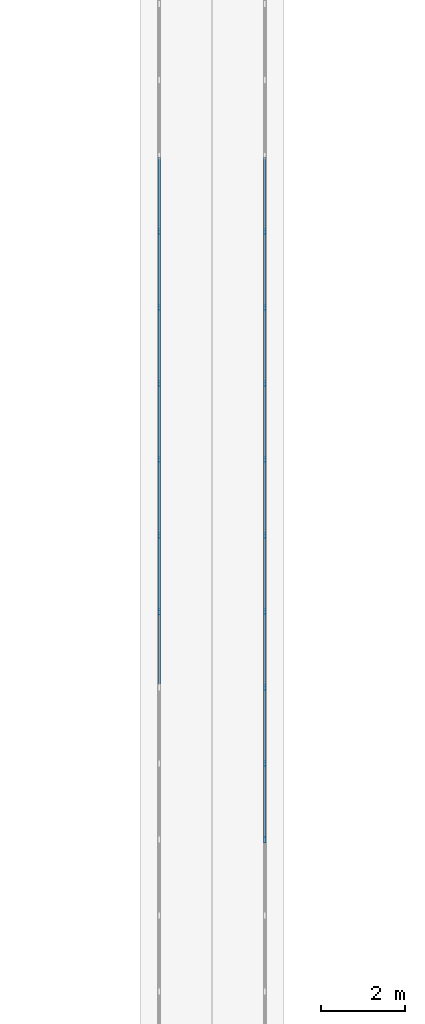
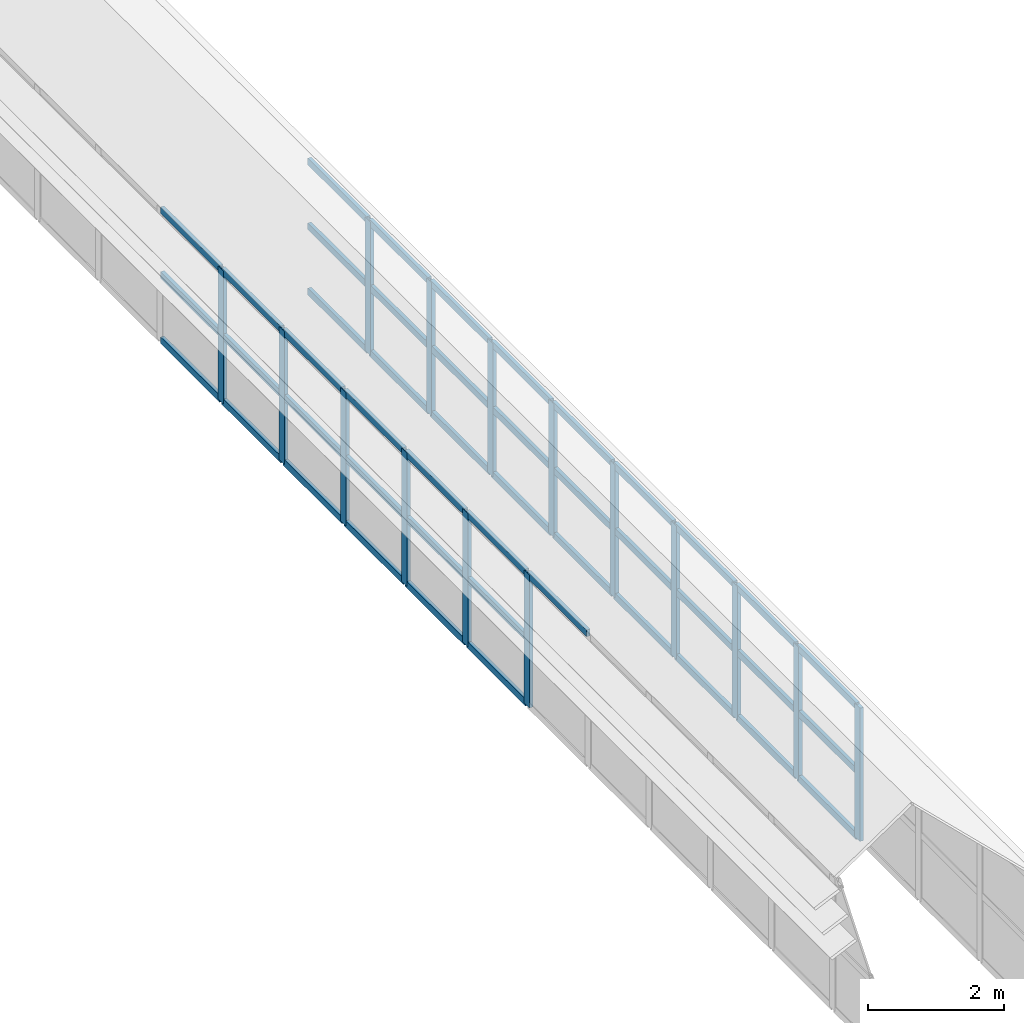
# One storey, part 5 of 28: 61 members, 2 elements without a shape of their own.
"""IFC4 building model written with IfcOpenShell, lengths in metres."""

from ifc_helpers import new_model, si_unit, direction, frame, origin, origin_2d, place, context, subcontext, project, spatial, rectangle, extrude, material, layer, layer_set, material_profile, profile_set, type_object, element, aggregate, save


model = new_model("IFC4")

# Units and contexts
model_context = context("Model", 3, precision=1e-05, world=origin(), true_north=direction((0.0, 1.0)))
body_context = subcontext(model_context, "Body", "Model", "MODEL_VIEW")
ifc_project = project(units=[si_unit("LENGTHUNIT", "METRE"), si_unit("AREAUNIT", "SQUARE_METRE"), si_unit("VOLUMEUNIT", "CUBIC_METRE"), si_unit("PLANEANGLEUNIT", "RADIAN"), si_unit("MASSUNIT", "GRAM", prefix="KILO")], contexts=[model_context])

# Site, building, storey
site_placement = place(None, origin())
site = spatial("IfcSite", under=ifc_project, at=site_placement, CompositionType="ELEMENT")
building_placement = place(site_placement, origin())
building = spatial("IfcBuilding", under=site, at=building_placement, Name="Mazhai Court Health Centre", CompositionType="ELEMENT")
storey_placement = place(building_placement, frame((0.0, 0.0, 18.0)))
storey = spatial("IfcBuildingStorey", under=building, at=storey_placement, Name="RF", CompositionType="ELEMENT", Elevation=18.0)

# Curtain wall, members
ifc_material_1 = material(Name="Teak timber frame, glazed", Category="wood")
ifc_layer = layer(ifc_material_1, 0.10009765625)
ifc_layer_set = layer_set([ifc_layer], Name="CURTAIN WALL TIMBER 1800")
curtain_wall_type = type_object("IfcCurtainWallType", Name="CURTAIN WALL TIMBER 1800", PredefinedType="NOTDEFINED", material=ifc_layer_set)
curtain_wall_1_placement = place(storey_placement, origin())
curtain_wall_1 = element("IfcCurtainWall", 1, at=curtain_wall_1_placement, inside=storey, type_object=curtain_wall_type, Name="CW-V1-LSW", PredefinedType="NOTDEFINED")
ifc_material_2 = material(Name="Teak timber", Category="wood")
ifc_material_profile_1 = material_profile(ifc_material_2, rectangle(XDim=0.06005859375, YDim=0.159912109375, at=origin_2d()), Name="CW MULLION 60x160")
ifc_profile_set_1 = profile_set([ifc_material_profile_1], Name="Teak timber")
member_type_1 = type_object("IfcMemberType", Name="CW MULLION 60x160", PredefinedType="MULLION", material=ifc_profile_set_1)
member_1_placement = place(storey_placement, frame((51.75, 27.60009765625, 0.783935546875), z_axis=(0.0, 0.0, 1.0), x_axis=(-1.0, 0.0, 0.0)))
member_1 = element("IfcMember", 2, at=member_1_placement, type_object=member_type_1, Name="CW mullion 10", PredefinedType="MULLION", context=body_context, shape_type="SweptSolid", body=[
    extrude(rectangle(XDim=0.06005859375, YDim=0.159912109375, at=origin_2d()), origin(), (0.0, 0.0, 1.0), 2.39501953125),
])
member_2_placement = place(storey_placement, frame((51.75, 29.39990234375, 0.783935546875), z_axis=(0.0, 0.0, 1.0), x_axis=(-1.0, 0.0, 0.0)))
member_2 = element("IfcMember", 3, at=member_2_placement, type_object=member_type_1, Name="CW mullion 11", PredefinedType="MULLION", context=body_context, shape_type="SweptSolid", body=[
    extrude(rectangle(XDim=0.06005859375, YDim=0.159912109375, at=origin_2d()), origin(), (0.0, 0.0, 1.0), 2.39501953125),
])
member_3_placement = place(storey_placement, frame((51.75, 31.199951171875, 0.783935546875), z_axis=(0.0, 0.0, 1.0), x_axis=(-1.0, 0.0, 0.0)))
member_3 = element("IfcMember", 4, at=member_3_placement, type_object=member_type_1, Name="CW mullion 12", PredefinedType="MULLION", context=body_context, shape_type="SweptSolid", body=[
    extrude(rectangle(XDim=0.06005859375, YDim=0.159912109375, at=origin_2d()), origin(), (0.0, 0.0, 1.0), 2.39501953125),
])
member_4_placement = place(storey_placement, frame((51.75, 33.0, 0.783935546875), z_axis=(0.0, 0.0, 1.0), x_axis=(-1.0, 0.0, 0.0)))
member_4 = element("IfcMember", 5, at=member_4_placement, type_object=member_type_1, Name="CW mullion 13", PredefinedType="MULLION", context=body_context, shape_type="SweptSolid", body=[
    extrude(rectangle(XDim=0.06005859375, YDim=0.159912109375, at=origin_2d()), origin(), (0.0, 0.0, 1.0), 2.39501953125),
])
member_5_placement = place(storey_placement, frame((51.75, 34.800048828125, 0.783935546875), z_axis=(0.0, 0.0, 1.0), x_axis=(-1.0, 0.0, 0.0)))
member_5 = element("IfcMember", 6, at=member_5_placement, type_object=member_type_1, Name="CW mullion 14", PredefinedType="MULLION", context=body_context, shape_type="SweptSolid", body=[
    extrude(rectangle(XDim=0.06005859375, YDim=0.159912109375, at=origin_2d()), origin(), (0.0, 0.0, 1.0), 2.39501953125),
])
member_6_placement = place(storey_placement, frame((51.75, 36.60009765625, 0.783935546875), z_axis=(0.0, 0.0, 1.0), x_axis=(-1.0, 0.0, 0.0)))
member_6 = element("IfcMember", 7, at=member_6_placement, type_object=member_type_1, Name="CW mullion 15", PredefinedType="MULLION", context=body_context, shape_type="SweptSolid", body=[
    extrude(rectangle(XDim=0.06005859375, YDim=0.159912109375, at=origin_2d()), origin(), (0.0, 0.0, 1.0), 2.39501953125),
])

curtain_wall_2_placement = place(storey_placement, origin())
curtain_wall_2 = element("IfcCurtainWall", 8, at=curtain_wall_2_placement, inside=storey, type_object=curtain_wall_type, Name="CW-V1-LSE", PredefinedType="NOTDEFINED")
member_7_placement = place(storey_placement, frame((54.25, 36.60009765625, 0.783935546875), z_axis=(0.0, 0.0, 1.0), x_axis=(1.0, 0.0, 0.0)))
member_7 = element("IfcMember", 9, at=member_7_placement, type_object=member_type_1, Name="CW mullion 13", PredefinedType="MULLION", context=body_context, shape_type="SweptSolid", body=[
    extrude(rectangle(XDim=0.06005859375, YDim=0.159912109375, at=origin_2d()), origin(), (0.0, 0.0, 1.0), 2.39501953125),
])
member_8_placement = place(storey_placement, frame((54.25, 34.800048828125, 0.783935546875), z_axis=(0.0, 0.0, 1.0), x_axis=(1.0, 0.0, 0.0)))
member_8 = element("IfcMember", 10, at=member_8_placement, type_object=member_type_1, Name="CW mullion 14", PredefinedType="MULLION", context=body_context, shape_type="SweptSolid", body=[
    extrude(rectangle(XDim=0.06005859375, YDim=0.159912109375, at=origin_2d()), origin(), (0.0, 0.0, 1.0), 2.39501953125),
])
member_9_placement = place(storey_placement, frame((54.25, 33.0, 0.783935546875), z_axis=(0.0, 0.0, 1.0), x_axis=(1.0, 0.0, 0.0)))
member_9 = element("IfcMember", 11, at=member_9_placement, type_object=member_type_1, Name="CW mullion 15", PredefinedType="MULLION", context=body_context, shape_type="SweptSolid", body=[
    extrude(rectangle(XDim=0.06005859375, YDim=0.159912109375, at=origin_2d()), origin(), (0.0, 0.0, 1.0), 2.39501953125),
])
member_10_placement = place(storey_placement, frame((54.25, 31.199951171875, 0.783935546875), z_axis=(0.0, 0.0, 1.0), x_axis=(1.0, 0.0, 0.0)))
member_10 = element("IfcMember", 12, at=member_10_placement, type_object=member_type_1, Name="CW mullion 16", PredefinedType="MULLION", context=body_context, shape_type="SweptSolid", body=[
    extrude(rectangle(XDim=0.06005859375, YDim=0.159912109375, at=origin_2d()), origin(), (0.0, 0.0, 1.0), 2.39501953125),
])
member_11_placement = place(storey_placement, frame((54.25, 29.39990234375, 0.783935546875), z_axis=(0.0, 0.0, 1.0), x_axis=(1.0, 0.0, 0.0)))
member_11 = element("IfcMember", 13, at=member_11_placement, type_object=member_type_1, Name="CW mullion 17", PredefinedType="MULLION", context=body_context, shape_type="SweptSolid", body=[
    extrude(rectangle(XDim=0.06005859375, YDim=0.159912109375, at=origin_2d()), origin(), (0.0, 0.0, 1.0), 2.39501953125),
])
member_12_placement = place(storey_placement, frame((54.25, 27.60009765625, 0.783935546875), z_axis=(0.0, 0.0, 1.0), x_axis=(1.0, 0.0, 0.0)))
member_12 = element("IfcMember", 14, at=member_12_placement, type_object=member_type_1, Name="CW mullion 18", PredefinedType="MULLION", context=body_context, shape_type="SweptSolid", body=[
    extrude(rectangle(XDim=0.06005859375, YDim=0.159912109375, at=origin_2d()), origin(), (0.0, 0.0, 1.0), 2.39501953125),
])
member_13_placement = place(storey_placement, frame((54.25, 25.800048828125, 0.783935546875), z_axis=(0.0, 0.0, 1.0), x_axis=(1.0, 0.0, 0.0)))
member_13 = element("IfcMember", 15, at=member_13_placement, type_object=member_type_1, Name="CW mullion 19", PredefinedType="MULLION", context=body_context, shape_type="SweptSolid", body=[
    extrude(rectangle(XDim=0.06005859375, YDim=0.159912109375, at=origin_2d()), origin(), (0.0, 0.0, 1.0), 2.39501953125),
])
member_14_placement = place(storey_placement, frame((54.25, 24.0, 0.783935546875), z_axis=(0.0, 0.0, 1.0), x_axis=(1.0, 0.0, 0.0)))
member_14 = element("IfcMember", 16, at=member_14_placement, type_object=member_type_1, Name="CW mullion 20", PredefinedType="MULLION", context=body_context, shape_type="SweptSolid", body=[
    extrude(rectangle(XDim=0.06005859375, YDim=0.159912109375, at=origin_2d()), origin(), (0.0, 0.0, 1.0), 2.39501953125),
])
member_15_placement = place(storey_placement, frame((54.25, 22.199951171875, 0.783935546875), z_axis=(0.0, 0.0, 1.0), x_axis=(1.0, 0.0, 0.0)))
member_15 = element("IfcMember", 17, at=member_15_placement, type_object=member_type_1, Name="CW mullion 21", PredefinedType="MULLION", context=body_context, shape_type="SweptSolid", body=[
    extrude(rectangle(XDim=0.06005859375, YDim=0.159912109375, at=origin_2d()), origin(), (0.0, 0.0, 1.0), 2.39501953125),
])

# Member
ifc_material_3 = material(Name="Teak timber", Category="wood")
ifc_material_profile_2 = material_profile(ifc_material_3, rectangle(XDim=0.06005859375, YDim=0.1201171875, at=origin_2d()), Name="CW TRANSOM 60x120")
ifc_profile_set_2 = profile_set([ifc_material_profile_2], Name="Teak timber")
member_type_2 = type_object("IfcMemberType", Name="CW TRANSOM 60x120", PredefinedType="USERDEFINED", material=ifc_profile_set_2)
member_16_placement = place(storey_placement, frame((51.75, 25.830078125, 3.14892578125), z_axis=(0.0, 1.0, 0.0), x_axis=(-1.0, 0.0, 0.0)))
member_16 = element("IfcMember", 18, at=member_16_placement, type_object=member_type_2, Name="CW transom 9.3", ObjectType="TRANSOM", PredefinedType="USERDEFINED", context=body_context, shape_type="SweptSolid", body=[
    extrude(rectangle(XDim=0.06005859375, YDim=0.1201171875, at=origin_2d()), origin(), (0.0, 0.0, 1.0), 1.739990234375),
])

member_17_placement = place(storey_placement, frame((51.75, 27.6298828125, 0.81396484375), z_axis=(0.0, 1.0, 0.0), x_axis=(-1.0, 0.0, 0.0)))
member_17 = element("IfcMember", 19, at=member_17_placement, type_object=member_type_2, Name="CW transom 10.1", ObjectType="TRANSOM", PredefinedType="USERDEFINED", context=body_context, shape_type="SweptSolid", body=[
    extrude(rectangle(XDim=0.06005859375, YDim=0.1201171875, at=origin_2d()), origin(), (0.0, 0.0, 1.0), 1.740234375),
])

member_18_placement = place(storey_placement, frame((51.75, 27.6298828125, 1.98388671875), z_axis=(0.0, 1.0, 0.0), x_axis=(-1.0, 0.0, 0.0)))
member_18 = element("IfcMember", 20, at=member_18_placement, type_object=member_type_2, Name="CW transom 10.2", ObjectType="TRANSOM", PredefinedType="USERDEFINED", context=body_context, shape_type="SweptSolid", body=[
    extrude(rectangle(XDim=0.06005859375, YDim=0.1201171875, at=origin_2d()), origin(), (0.0, 0.0, 1.0), 1.740234375),
])

member_19_placement = place(storey_placement, frame((51.75, 27.6298828125, 3.14892578125), z_axis=(0.0, 1.0, 0.0), x_axis=(-1.0, 0.0, 0.0)))
member_19 = element("IfcMember", 21, at=member_19_placement, type_object=member_type_2, Name="CW transom 10.3", ObjectType="TRANSOM", PredefinedType="USERDEFINED", context=body_context, shape_type="SweptSolid", body=[
    extrude(rectangle(XDim=0.06005859375, YDim=0.1201171875, at=origin_2d()), origin(), (0.0, 0.0, 1.0), 1.740234375),
])

member_20_placement = place(storey_placement, frame((51.75, 29.429931640625, 0.81396484375), z_axis=(0.0, 1.0, 0.0), x_axis=(-1.0, 0.0, 0.0)))
member_20 = element("IfcMember", 22, at=member_20_placement, type_object=member_type_2, Name="CW transom 11.1", ObjectType="TRANSOM", PredefinedType="USERDEFINED", context=body_context, shape_type="SweptSolid", body=[
    extrude(rectangle(XDim=0.06005859375, YDim=0.1201171875, at=origin_2d()), origin(), (0.0, 0.0, 1.0), 1.739990234375),
])

member_21_placement = place(storey_placement, frame((51.75, 29.429931640625, 1.98388671875), z_axis=(0.0, 1.0, 0.0), x_axis=(-1.0, 0.0, 0.0)))
member_21 = element("IfcMember", 23, at=member_21_placement, type_object=member_type_2, Name="CW transom 11.2", ObjectType="TRANSOM", PredefinedType="USERDEFINED", context=body_context, shape_type="SweptSolid", body=[
    extrude(rectangle(XDim=0.06005859375, YDim=0.1201171875, at=origin_2d()), origin(), (0.0, 0.0, 1.0), 1.739990234375),
])

member_22_placement = place(storey_placement, frame((51.75, 29.429931640625, 3.14892578125), z_axis=(0.0, 1.0, 0.0), x_axis=(-1.0, 0.0, 0.0)))
member_22 = element("IfcMember", 24, at=member_22_placement, type_object=member_type_2, Name="CW transom 11.3", ObjectType="TRANSOM", PredefinedType="USERDEFINED", context=body_context, shape_type="SweptSolid", body=[
    extrude(rectangle(XDim=0.06005859375, YDim=0.1201171875, at=origin_2d()), origin(), (0.0, 0.0, 1.0), 1.739990234375),
])

member_23_placement = place(storey_placement, frame((51.75, 31.22998046875, 0.81396484375), z_axis=(0.0, 1.0, 0.0), x_axis=(-1.0, 0.0, 0.0)))
member_23 = element("IfcMember", 25, at=member_23_placement, type_object=member_type_2, Name="CW transom 12.1", ObjectType="TRANSOM", PredefinedType="USERDEFINED", context=body_context, shape_type="SweptSolid", body=[
    extrude(rectangle(XDim=0.06005859375, YDim=0.1201171875, at=origin_2d()), origin(), (0.0, 0.0, 1.0), 1.739990234375),
])

member_24_placement = place(storey_placement, frame((51.75, 31.22998046875, 1.98388671875), z_axis=(0.0, 1.0, 0.0), x_axis=(-1.0, 0.0, 0.0)))
member_24 = element("IfcMember", 26, at=member_24_placement, type_object=member_type_2, Name="CW transom 12.2", ObjectType="TRANSOM", PredefinedType="USERDEFINED", context=body_context, shape_type="SweptSolid", body=[
    extrude(rectangle(XDim=0.06005859375, YDim=0.1201171875, at=origin_2d()), origin(), (0.0, 0.0, 1.0), 1.739990234375),
])

member_25_placement = place(storey_placement, frame((51.75, 31.22998046875, 3.14892578125), z_axis=(0.0, 1.0, 0.0), x_axis=(-1.0, 0.0, 0.0)))
member_25 = element("IfcMember", 27, at=member_25_placement, type_object=member_type_2, Name="CW transom 12.3", ObjectType="TRANSOM", PredefinedType="USERDEFINED", context=body_context, shape_type="SweptSolid", body=[
    extrude(rectangle(XDim=0.06005859375, YDim=0.1201171875, at=origin_2d()), origin(), (0.0, 0.0, 1.0), 1.739990234375),
])

member_26_placement = place(storey_placement, frame((51.75, 33.030029296875, 0.81396484375), z_axis=(0.0, 1.0, 0.0), x_axis=(-1.0, 0.0, 0.0)))
member_26 = element("IfcMember", 28, at=member_26_placement, type_object=member_type_2, Name="CW transom 13.1", ObjectType="TRANSOM", PredefinedType="USERDEFINED", context=body_context, shape_type="SweptSolid", body=[
    extrude(rectangle(XDim=0.06005859375, YDim=0.1201171875, at=origin_2d()), origin(), (0.0, 0.0, 1.0), 1.739990234375),
])

member_27_placement = place(storey_placement, frame((51.75, 33.030029296875, 1.98388671875), z_axis=(0.0, 1.0, 0.0), x_axis=(-1.0, 0.0, 0.0)))
member_27 = element("IfcMember", 29, at=member_27_placement, type_object=member_type_2, Name="CW transom 13.2", ObjectType="TRANSOM", PredefinedType="USERDEFINED", context=body_context, shape_type="SweptSolid", body=[
    extrude(rectangle(XDim=0.06005859375, YDim=0.1201171875, at=origin_2d()), origin(), (0.0, 0.0, 1.0), 1.739990234375),
])

member_28_placement = place(storey_placement, frame((51.75, 33.030029296875, 3.14892578125), z_axis=(0.0, 1.0, 0.0), x_axis=(-1.0, 0.0, 0.0)))
member_28 = element("IfcMember", 30, at=member_28_placement, type_object=member_type_2, Name="CW transom 13.3", ObjectType="TRANSOM", PredefinedType="USERDEFINED", context=body_context, shape_type="SweptSolid", body=[
    extrude(rectangle(XDim=0.06005859375, YDim=0.1201171875, at=origin_2d()), origin(), (0.0, 0.0, 1.0), 1.739990234375),
])

member_29_placement = place(storey_placement, frame((51.75, 34.830078125, 0.81396484375), z_axis=(0.0, 1.0, 0.0), x_axis=(-1.0, 0.0, 0.0)))
member_29 = element("IfcMember", 31, at=member_29_placement, type_object=member_type_2, Name="CW transom 14.1", ObjectType="TRANSOM", PredefinedType="USERDEFINED", context=body_context, shape_type="SweptSolid", body=[
    extrude(rectangle(XDim=0.06005859375, YDim=0.1201171875, at=origin_2d()), origin(), (0.0, 0.0, 1.0), 1.739990234375),
])

member_30_placement = place(storey_placement, frame((51.75, 34.830078125, 1.98388671875), z_axis=(0.0, 1.0, 0.0), x_axis=(-1.0, 0.0, 0.0)))
member_30 = element("IfcMember", 32, at=member_30_placement, type_object=member_type_2, Name="CW transom 14.2", ObjectType="TRANSOM", PredefinedType="USERDEFINED", context=body_context, shape_type="SweptSolid", body=[
    extrude(rectangle(XDim=0.06005859375, YDim=0.1201171875, at=origin_2d()), origin(), (0.0, 0.0, 1.0), 1.739990234375),
])

member_31_placement = place(storey_placement, frame((51.75, 34.830078125, 3.14892578125), z_axis=(0.0, 1.0, 0.0), x_axis=(-1.0, 0.0, 0.0)))
member_31 = element("IfcMember", 33, at=member_31_placement, type_object=member_type_2, Name="CW transom 14.3", ObjectType="TRANSOM", PredefinedType="USERDEFINED", context=body_context, shape_type="SweptSolid", body=[
    extrude(rectangle(XDim=0.06005859375, YDim=0.1201171875, at=origin_2d()), origin(), (0.0, 0.0, 1.0), 1.739990234375),
])

member_32_placement = place(storey_placement, frame((51.75, 36.6298828125, 0.81396484375), z_axis=(0.0, 1.0, 0.0), x_axis=(-1.0, 0.0, 0.0)))
member_32 = element("IfcMember", 34, at=member_32_placement, type_object=member_type_2, Name="CW transom 15.1", ObjectType="TRANSOM", PredefinedType="USERDEFINED", context=body_context, shape_type="SweptSolid", body=[
    extrude(rectangle(XDim=0.06005859375, YDim=0.1201171875, at=origin_2d()), origin(), (0.0, 0.0, 1.0), 1.740234375),
])

member_33_placement = place(storey_placement, frame((51.75, 36.6298828125, 1.98388671875), z_axis=(0.0, 1.0, 0.0), x_axis=(-1.0, 0.0, 0.0)))
member_33 = element("IfcMember", 35, at=member_33_placement, type_object=member_type_2, Name="CW transom 15.2", ObjectType="TRANSOM", PredefinedType="USERDEFINED", context=body_context, shape_type="SweptSolid", body=[
    extrude(rectangle(XDim=0.06005859375, YDim=0.1201171875, at=origin_2d()), origin(), (0.0, 0.0, 1.0), 1.740234375),
])

member_34_placement = place(storey_placement, frame((51.75, 36.6298828125, 3.14892578125), z_axis=(0.0, 1.0, 0.0), x_axis=(-1.0, 0.0, 0.0)))
member_34 = element("IfcMember", 36, at=member_34_placement, type_object=member_type_2, Name="CW transom 15.3", ObjectType="TRANSOM", PredefinedType="USERDEFINED", context=body_context, shape_type="SweptSolid", body=[
    extrude(rectangle(XDim=0.06005859375, YDim=0.1201171875, at=origin_2d()), origin(), (0.0, 0.0, 1.0), 1.740234375),
])

aggregate(curtain_wall_1, [member_1, member_2, member_3, member_4, member_5, member_6, member_16, member_17, member_18, member_19, member_20, member_21, member_22, member_23, member_24, member_25, member_26, member_27, member_28, member_29, member_30, member_31, member_32, member_33, member_34])

member_35_placement = place(storey_placement, frame((54.25, 38.3701171875, 0.81396484375), z_axis=(0.0, -1.0, 0.0), x_axis=(1.0, 0.0, 0.0)))
member_35 = element("IfcMember", 37, at=member_35_placement, type_object=member_type_2, Name="CW transom 12.1", ObjectType="TRANSOM", PredefinedType="USERDEFINED", context=body_context, shape_type="SweptSolid", body=[
    extrude(rectangle(XDim=0.06005859375, YDim=0.1201171875, at=origin_2d()), origin(), (0.0, 0.0, 1.0), 1.740234375),
])

member_36_placement = place(storey_placement, frame((54.25, 38.3701171875, 1.98388671875), z_axis=(0.0, -1.0, 0.0), x_axis=(1.0, 0.0, 0.0)))
member_36 = element("IfcMember", 38, at=member_36_placement, type_object=member_type_2, Name="CW transom 12.2", ObjectType="TRANSOM", PredefinedType="USERDEFINED", context=body_context, shape_type="SweptSolid", body=[
    extrude(rectangle(XDim=0.06005859375, YDim=0.1201171875, at=origin_2d()), origin(), (0.0, 0.0, 1.0), 1.740234375),
])

member_37_placement = place(storey_placement, frame((54.25, 38.3701171875, 3.14892578125), z_axis=(0.0, -1.0, 0.0), x_axis=(1.0, 0.0, 0.0)))
member_37 = element("IfcMember", 39, at=member_37_placement, type_object=member_type_2, Name="CW transom 12.3", ObjectType="TRANSOM", PredefinedType="USERDEFINED", context=body_context, shape_type="SweptSolid", body=[
    extrude(rectangle(XDim=0.06005859375, YDim=0.1201171875, at=origin_2d()), origin(), (0.0, 0.0, 1.0), 1.740234375),
])

member_38_placement = place(storey_placement, frame((54.25, 36.570068359375, 0.81396484375), z_axis=(0.0, -1.0, 0.0), x_axis=(1.0, 0.0, 0.0)))
member_38 = element("IfcMember", 40, at=member_38_placement, type_object=member_type_2, Name="CW transom 13.1", ObjectType="TRANSOM", PredefinedType="USERDEFINED", context=body_context, shape_type="SweptSolid", body=[
    extrude(rectangle(XDim=0.06005859375, YDim=0.1201171875, at=origin_2d()), origin(), (0.0, 0.0, 1.0), 1.739990234375),
])

member_39_placement = place(storey_placement, frame((54.25, 36.570068359375, 1.98388671875), z_axis=(0.0, -1.0, 0.0), x_axis=(1.0, 0.0, 0.0)))
member_39 = element("IfcMember", 41, at=member_39_placement, type_object=member_type_2, Name="CW transom 13.2", ObjectType="TRANSOM", PredefinedType="USERDEFINED", context=body_context, shape_type="SweptSolid", body=[
    extrude(rectangle(XDim=0.06005859375, YDim=0.1201171875, at=origin_2d()), origin(), (0.0, 0.0, 1.0), 1.739990234375),
])

member_40_placement = place(storey_placement, frame((54.25, 36.570068359375, 3.14892578125), z_axis=(0.0, -1.0, 0.0), x_axis=(1.0, 0.0, 0.0)))
member_40 = element("IfcMember", 42, at=member_40_placement, type_object=member_type_2, Name="CW transom 13.3", ObjectType="TRANSOM", PredefinedType="USERDEFINED", context=body_context, shape_type="SweptSolid", body=[
    extrude(rectangle(XDim=0.06005859375, YDim=0.1201171875, at=origin_2d()), origin(), (0.0, 0.0, 1.0), 1.739990234375),
])

member_41_placement = place(storey_placement, frame((54.25, 34.77001953125, 0.81396484375), z_axis=(0.0, -1.0, 0.0), x_axis=(1.0, 0.0, 0.0)))
member_41 = element("IfcMember", 43, at=member_41_placement, type_object=member_type_2, Name="CW transom 14.1", ObjectType="TRANSOM", PredefinedType="USERDEFINED", context=body_context, shape_type="SweptSolid", body=[
    extrude(rectangle(XDim=0.06005859375, YDim=0.1201171875, at=origin_2d()), origin(), (0.0, 0.0, 1.0), 1.739990234375),
])

member_42_placement = place(storey_placement, frame((54.25, 34.77001953125, 1.98388671875), z_axis=(0.0, -1.0, 0.0), x_axis=(1.0, 0.0, 0.0)))
member_42 = element("IfcMember", 44, at=member_42_placement, type_object=member_type_2, Name="CW transom 14.2", ObjectType="TRANSOM", PredefinedType="USERDEFINED", context=body_context, shape_type="SweptSolid", body=[
    extrude(rectangle(XDim=0.06005859375, YDim=0.1201171875, at=origin_2d()), origin(), (0.0, 0.0, 1.0), 1.739990234375),
])

member_43_placement = place(storey_placement, frame((54.25, 34.77001953125, 3.14892578125), z_axis=(0.0, -1.0, 0.0), x_axis=(1.0, 0.0, 0.0)))
member_43 = element("IfcMember", 45, at=member_43_placement, type_object=member_type_2, Name="CW transom 14.3", ObjectType="TRANSOM", PredefinedType="USERDEFINED", context=body_context, shape_type="SweptSolid", body=[
    extrude(rectangle(XDim=0.06005859375, YDim=0.1201171875, at=origin_2d()), origin(), (0.0, 0.0, 1.0), 1.739990234375),
])

member_44_placement = place(storey_placement, frame((54.25, 32.969970703125, 0.81396484375), z_axis=(0.0, -1.0, 0.0), x_axis=(1.0, 0.0, 0.0)))
member_44 = element("IfcMember", 46, at=member_44_placement, type_object=member_type_2, Name="CW transom 15.1", ObjectType="TRANSOM", PredefinedType="USERDEFINED", context=body_context, shape_type="SweptSolid", body=[
    extrude(rectangle(XDim=0.06005859375, YDim=0.1201171875, at=origin_2d()), origin(), (0.0, 0.0, 1.0), 1.739990234375),
])

member_45_placement = place(storey_placement, frame((54.25, 32.969970703125, 1.98388671875), z_axis=(0.0, -1.0, 0.0), x_axis=(1.0, 0.0, 0.0)))
member_45 = element("IfcMember", 47, at=member_45_placement, type_object=member_type_2, Name="CW transom 15.2", ObjectType="TRANSOM", PredefinedType="USERDEFINED", context=body_context, shape_type="SweptSolid", body=[
    extrude(rectangle(XDim=0.06005859375, YDim=0.1201171875, at=origin_2d()), origin(), (0.0, 0.0, 1.0), 1.739990234375),
])

member_46_placement = place(storey_placement, frame((54.25, 32.969970703125, 3.14892578125), z_axis=(0.0, -1.0, 0.0), x_axis=(1.0, 0.0, 0.0)))
member_46 = element("IfcMember", 48, at=member_46_placement, type_object=member_type_2, Name="CW transom 15.3", ObjectType="TRANSOM", PredefinedType="USERDEFINED", context=body_context, shape_type="SweptSolid", body=[
    extrude(rectangle(XDim=0.06005859375, YDim=0.1201171875, at=origin_2d()), origin(), (0.0, 0.0, 1.0), 1.739990234375),
])

member_47_placement = place(storey_placement, frame((54.25, 31.169921875, 0.81396484375), z_axis=(0.0, -1.0, 0.0), x_axis=(1.0, 0.0, 0.0)))
member_47 = element("IfcMember", 49, at=member_47_placement, type_object=member_type_2, Name="CW transom 16.1", ObjectType="TRANSOM", PredefinedType="USERDEFINED", context=body_context, shape_type="SweptSolid", body=[
    extrude(rectangle(XDim=0.06005859375, YDim=0.1201171875, at=origin_2d()), origin(), (0.0, 0.0, 1.0), 1.739990234375),
])

member_48_placement = place(storey_placement, frame((54.25, 31.169921875, 1.98388671875), z_axis=(0.0, -1.0, 0.0), x_axis=(1.0, 0.0, 0.0)))
member_48 = element("IfcMember", 50, at=member_48_placement, type_object=member_type_2, Name="CW transom 16.2", ObjectType="TRANSOM", PredefinedType="USERDEFINED", context=body_context, shape_type="SweptSolid", body=[
    extrude(rectangle(XDim=0.06005859375, YDim=0.1201171875, at=origin_2d()), origin(), (0.0, 0.0, 1.0), 1.739990234375),
])

member_49_placement = place(storey_placement, frame((54.25, 31.169921875, 3.14892578125), z_axis=(0.0, -1.0, 0.0), x_axis=(1.0, 0.0, 0.0)))
member_49 = element("IfcMember", 51, at=member_49_placement, type_object=member_type_2, Name="CW transom 16.3", ObjectType="TRANSOM", PredefinedType="USERDEFINED", context=body_context, shape_type="SweptSolid", body=[
    extrude(rectangle(XDim=0.06005859375, YDim=0.1201171875, at=origin_2d()), origin(), (0.0, 0.0, 1.0), 1.739990234375),
])

member_50_placement = place(storey_placement, frame((54.25, 29.3701171875, 0.81396484375), z_axis=(0.0, -1.0, 0.0), x_axis=(1.0, 0.0, 0.0)))
member_50 = element("IfcMember", 52, at=member_50_placement, type_object=member_type_2, Name="CW transom 17.1", ObjectType="TRANSOM", PredefinedType="USERDEFINED", context=body_context, shape_type="SweptSolid", body=[
    extrude(rectangle(XDim=0.06005859375, YDim=0.1201171875, at=origin_2d()), origin(), (0.0, 0.0, 1.0), 1.740234375),
])

member_51_placement = place(storey_placement, frame((54.25, 29.3701171875, 1.98388671875), z_axis=(0.0, -1.0, 0.0), x_axis=(1.0, 0.0, 0.0)))
member_51 = element("IfcMember", 53, at=member_51_placement, type_object=member_type_2, Name="CW transom 17.2", ObjectType="TRANSOM", PredefinedType="USERDEFINED", context=body_context, shape_type="SweptSolid", body=[
    extrude(rectangle(XDim=0.06005859375, YDim=0.1201171875, at=origin_2d()), origin(), (0.0, 0.0, 1.0), 1.740234375),
])

member_52_placement = place(storey_placement, frame((54.25, 29.3701171875, 3.14892578125), z_axis=(0.0, -1.0, 0.0), x_axis=(1.0, 0.0, 0.0)))
member_52 = element("IfcMember", 54, at=member_52_placement, type_object=member_type_2, Name="CW transom 17.3", ObjectType="TRANSOM", PredefinedType="USERDEFINED", context=body_context, shape_type="SweptSolid", body=[
    extrude(rectangle(XDim=0.06005859375, YDim=0.1201171875, at=origin_2d()), origin(), (0.0, 0.0, 1.0), 1.740234375),
])

member_53_placement = place(storey_placement, frame((54.25, 27.570068359375, 0.81396484375), z_axis=(0.0, -1.0, 0.0), x_axis=(1.0, 0.0, 0.0)))
member_53 = element("IfcMember", 55, at=member_53_placement, type_object=member_type_2, Name="CW transom 18.1", ObjectType="TRANSOM", PredefinedType="USERDEFINED", context=body_context, shape_type="SweptSolid", body=[
    extrude(rectangle(XDim=0.06005859375, YDim=0.1201171875, at=origin_2d()), origin(), (0.0, 0.0, 1.0), 1.739990234375),
])

member_54_placement = place(storey_placement, frame((54.25, 27.570068359375, 1.98388671875), z_axis=(0.0, -1.0, 0.0), x_axis=(1.0, 0.0, 0.0)))
member_54 = element("IfcMember", 56, at=member_54_placement, type_object=member_type_2, Name="CW transom 18.2", ObjectType="TRANSOM", PredefinedType="USERDEFINED", context=body_context, shape_type="SweptSolid", body=[
    extrude(rectangle(XDim=0.06005859375, YDim=0.1201171875, at=origin_2d()), origin(), (0.0, 0.0, 1.0), 1.739990234375),
])

member_55_placement = place(storey_placement, frame((54.25, 27.570068359375, 3.14892578125), z_axis=(0.0, -1.0, 0.0), x_axis=(1.0, 0.0, 0.0)))
member_55 = element("IfcMember", 57, at=member_55_placement, type_object=member_type_2, Name="CW transom 18.3", ObjectType="TRANSOM", PredefinedType="USERDEFINED", context=body_context, shape_type="SweptSolid", body=[
    extrude(rectangle(XDim=0.06005859375, YDim=0.1201171875, at=origin_2d()), origin(), (0.0, 0.0, 1.0), 1.739990234375),
])

member_56_placement = place(storey_placement, frame((54.25, 25.77001953125, 0.81396484375), z_axis=(0.0, -1.0, 0.0), x_axis=(1.0, 0.0, 0.0)))
member_56 = element("IfcMember", 58, at=member_56_placement, type_object=member_type_2, Name="CW transom 19.1", ObjectType="TRANSOM", PredefinedType="USERDEFINED", context=body_context, shape_type="SweptSolid", body=[
    extrude(rectangle(XDim=0.06005859375, YDim=0.1201171875, at=origin_2d()), origin(), (0.0, 0.0, 1.0), 1.739990234375),
])

member_57_placement = place(storey_placement, frame((54.25, 25.77001953125, 1.98388671875), z_axis=(0.0, -1.0, 0.0), x_axis=(1.0, 0.0, 0.0)))
member_57 = element("IfcMember", 59, at=member_57_placement, type_object=member_type_2, Name="CW transom 19.2", ObjectType="TRANSOM", PredefinedType="USERDEFINED", context=body_context, shape_type="SweptSolid", body=[
    extrude(rectangle(XDim=0.06005859375, YDim=0.1201171875, at=origin_2d()), origin(), (0.0, 0.0, 1.0), 1.739990234375),
])

member_58_placement = place(storey_placement, frame((54.25, 25.77001953125, 3.14892578125), z_axis=(0.0, -1.0, 0.0), x_axis=(1.0, 0.0, 0.0)))
member_58 = element("IfcMember", 60, at=member_58_placement, type_object=member_type_2, Name="CW transom 19.3", ObjectType="TRANSOM", PredefinedType="USERDEFINED", context=body_context, shape_type="SweptSolid", body=[
    extrude(rectangle(XDim=0.06005859375, YDim=0.1201171875, at=origin_2d()), origin(), (0.0, 0.0, 1.0), 1.739990234375),
])

member_59_placement = place(storey_placement, frame((54.25, 23.969970703125, 0.81396484375), z_axis=(0.0, -1.0, 0.0), x_axis=(1.0, 0.0, 0.0)))
member_59 = element("IfcMember", 61, at=member_59_placement, type_object=member_type_2, Name="CW transom 20.1", ObjectType="TRANSOM", PredefinedType="USERDEFINED", context=body_context, shape_type="SweptSolid", body=[
    extrude(rectangle(XDim=0.06005859375, YDim=0.1201171875, at=origin_2d()), origin(), (0.0, 0.0, 1.0), 1.739990234375),
])

member_60_placement = place(storey_placement, frame((54.25, 23.969970703125, 1.98388671875), z_axis=(0.0, -1.0, 0.0), x_axis=(1.0, 0.0, 0.0)))
member_60 = element("IfcMember", 62, at=member_60_placement, type_object=member_type_2, Name="CW transom 20.2", ObjectType="TRANSOM", PredefinedType="USERDEFINED", context=body_context, shape_type="SweptSolid", body=[
    extrude(rectangle(XDim=0.06005859375, YDim=0.1201171875, at=origin_2d()), origin(), (0.0, 0.0, 1.0), 1.739990234375),
])

member_61_placement = place(storey_placement, frame((54.25, 23.969970703125, 3.14892578125), z_axis=(0.0, -1.0, 0.0), x_axis=(1.0, 0.0, 0.0)))
member_61 = element("IfcMember", 63, at=member_61_placement, type_object=member_type_2, Name="CW transom 20.3", ObjectType="TRANSOM", PredefinedType="USERDEFINED", context=body_context, shape_type="SweptSolid", body=[
    extrude(rectangle(XDim=0.06005859375, YDim=0.1201171875, at=origin_2d()), origin(), (0.0, 0.0, 1.0), 1.739990234375),
])

aggregate(curtain_wall_2, [member_7, member_8, member_9, member_10, member_11, member_12, member_13, member_14, member_15, member_35, member_36, member_37, member_38, member_39, member_40, member_41, member_42, member_43, member_44, member_45, member_46, member_47, member_48, member_49, member_50, member_51, member_52, member_53, member_54, member_55, member_56, member_57, member_58, member_59, member_60, member_61])

save(model, "model.ifc")
